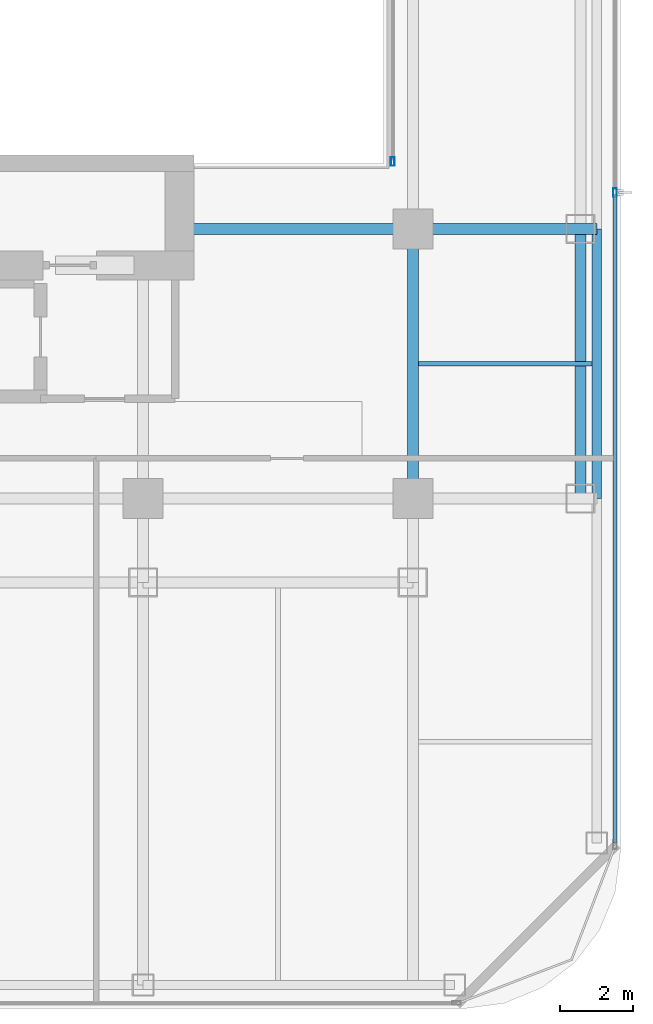
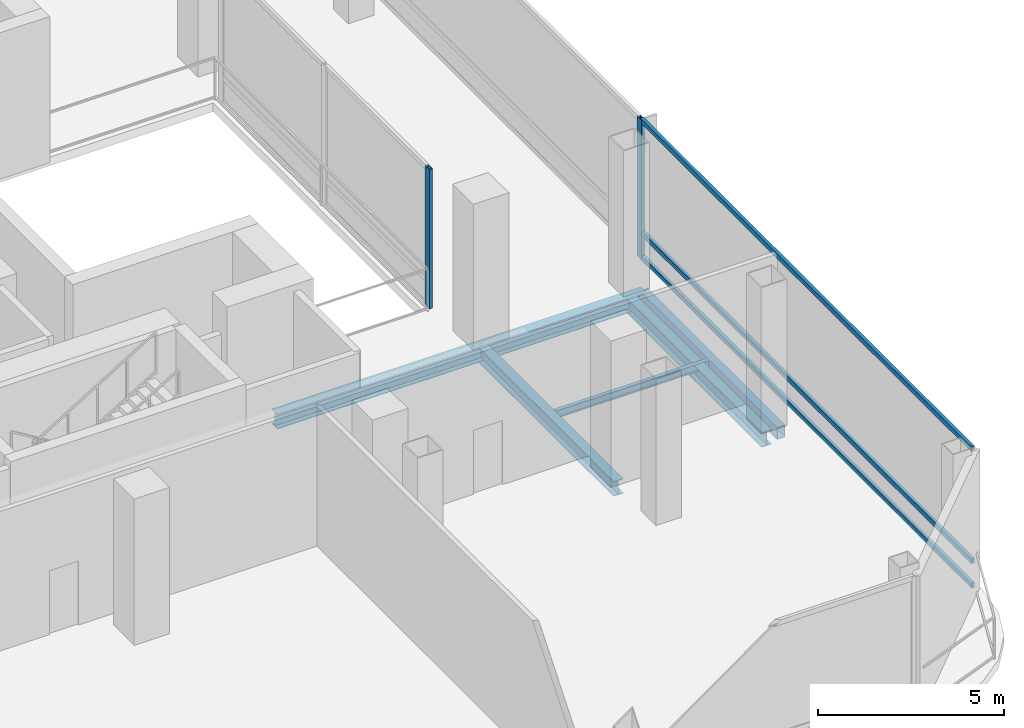
# One storey, part 9 of 22: 6 beams, 5 members, 2 elements without a shape of their own.
"""IFC4 building model written with IfcOpenShell, lengths in metres."""

from ifc_helpers import new_model, si_unit, direction, frame, origin, origin_2d, place, context, subcontext, project, spatial, hollow_rectangle, i_section, extrude, material, layer, layer_set, material_profile, profile_set, type_object, element, aggregate, save


model = new_model("IFC4")

# Units and contexts
model_context = context("Model", 3, precision=1e-05, world=origin(), true_north=direction((0.0, 1.0)))
body_context = subcontext(model_context, "Body", "Model", "MODEL_VIEW")
ifc_project = project(units=[si_unit("LENGTHUNIT", "METRE"), si_unit("AREAUNIT", "SQUARE_METRE"), si_unit("VOLUMEUNIT", "CUBIC_METRE"), si_unit("PLANEANGLEUNIT", "RADIAN"), si_unit("MASSUNIT", "GRAM", prefix="KILO")], contexts=[model_context])

# Site, building, storey
site_placement = place(None, origin())
site = spatial("IfcSite", under=ifc_project, at=site_placement, CompositionType="ELEMENT")
building_placement = place(site_placement, origin())
building = spatial("IfcBuilding", under=site, at=building_placement, Name="Khorvyn Point Tower", CompositionType="ELEMENT")
storey_placement = place(building_placement, frame((0.0, 0.0, 210.89990234375)))
storey = spatial("IfcBuildingStorey", under=building, at=storey_placement, Name="L52", CompositionType="ELEMENT", Elevation=210.89990234375)

# Curtain wall, member
ifc_material_1 = material(Name="Anodised aluminium 6063-T6 and laminated Low-E glass", Category="aluminium")
ifc_layer_1 = layer(ifc_material_1, 0.18994140625)
ifc_layer_set_1 = layer_set([ifc_layer_1], Name="Stick-Built Sky-Lobby Curtain Wall CW-SYS-05")
curtain_wall_type_1 = type_object("IfcCurtainWallType", Name="Stick-Built Sky-Lobby Curtain Wall CW-SYS-05", PredefinedType="NOTDEFINED", material=ifc_layer_set_1)
curtain_wall_1_placement = place(storey_placement, origin())
curtain_wall_1 = element("IfcCurtainWall", 1, at=curtain_wall_1_placement, inside=storey, type_object=curtain_wall_type_1, Name="Curtain Wall", PredefinedType="NOTDEFINED")
ifc_material_2 = material(Name="Anodised aluminium 6063-T6", Category="aluminium")
ifc_material_profile_1 = material_profile(ifc_material_2, hollow_rectangle(XDim=0.10009765625, YDim=0.239990234375, WallThickness=0.0048828125, at=origin_2d()))
ifc_profile_set_1 = profile_set([ifc_material_profile_1], Name="Anodised aluminium 6063-T6 ALU-MUL-100x240")
member_type_1 = type_object("IfcMemberType", Name="Anodised Aluminium 6063-T6 Mullion ALU-MUL-100x240", PredefinedType="MULLION", material=ifc_profile_set_1)
member_1_placement = place(storey_placement, frame((20.35009765625, -6.39990234375, 0.0), z_axis=(0.0, 0.0, 1.0), x_axis=(1.0, 0.0, 0.0)))
member_1 = element("IfcMember", 2, at=member_1_placement, type_object=member_type_1, Name="Transom", PredefinedType="MULLION", context=body_context, shape_type="SweptSolid", body=[
    extrude(hollow_rectangle(XDim=0.10009765625, YDim=0.239990234375, WallThickness=0.0048828125, at=origin_2d()), origin(), (0.0, 0.0, 1.0), 4.580078125),
])

ifc_layer_2 = layer(ifc_material_1, 0.18994140625)
ifc_layer_set_2 = layer_set([ifc_layer_2], Name="Stick-Built Crystal Atrium Curtain Wall CW-SYS-06")
curtain_wall_type_2 = type_object("IfcCurtainWallType", Name="Stick-Built Crystal Atrium Curtain Wall CW-SYS-06", PredefinedType="NOTDEFINED", material=ifc_layer_set_2)
curtain_wall_2_placement = place(storey_placement, origin())
curtain_wall_2 = element("IfcCurtainWall", 3, at=curtain_wall_2_placement, inside=storey, type_object=curtain_wall_type_2, Name="Curtain Wall", PredefinedType="NOTDEFINED")
member_2_placement = place(storey_placement, frame((14.25, -5.550048828125, 0.0), z_axis=(0.0, 0.0, 1.0), x_axis=(-1.0, 0.0, 0.0)))
member_2 = element("IfcMember", 4, at=member_2_placement, type_object=member_type_1, Name="Transom", PredefinedType="MULLION", context=body_context, shape_type="SweptSolid", body=[
    extrude(hollow_rectangle(XDim=0.10009765625, YDim=0.239990234375, WallThickness=0.0048828125, at=origin_2d()), origin(), (0.0, 0.0, 1.0), 4.580078125),
])
aggregate(curtain_wall_2, [member_2])

# Member
ifc_material_profile_2 = material_profile(ifc_material_2, hollow_rectangle(XDim=0.10009765625, YDim=0.159912109375, WallThickness=0.00439453125, at=origin_2d()))
ifc_profile_set_2 = profile_set([ifc_material_profile_2], Name="Anodised aluminium 6063-T6 ALU-TRN-100x160")
member_type_2 = type_object("IfcMemberType", Name="Anodised Aluminium 6063-T6 Transom ALU-TRN-100x160", PredefinedType="USERDEFINED", material=ifc_profile_set_2)
member_3_placement = place(storey_placement, frame((20.35009765625, -6.449951171875, 0.050048828125), z_axis=(0.0, -1.0, 0.0), x_axis=(1.0, 0.0, 0.0)))
member_3 = element("IfcMember", 5, at=member_3_placement, type_object=member_type_2, Name="Transom", ObjectType="TRANSOM", PredefinedType="USERDEFINED", context=body_context, shape_type="SweptSolid", body=[
    extrude(hollow_rectangle(XDim=0.10009765625, YDim=0.159912109375, WallThickness=0.00439453125, at=origin_2d()), origin(), (0.0, 0.0, 1.0), 17.800048828125),
])

member_4_placement = place(storey_placement, frame((20.35009765625, -6.449951171875, 0.85009765625), z_axis=(0.0, -1.0, 0.0), x_axis=(1.0, 0.0, 0.0)))
member_4 = element("IfcMember", 6, at=member_4_placement, type_object=member_type_2, Name="Transom", ObjectType="TRANSOM", PredefinedType="USERDEFINED", context=body_context, shape_type="SweptSolid", body=[
    extrude(hollow_rectangle(XDim=0.10009765625, YDim=0.159912109375, WallThickness=0.00439453125, at=origin_2d()), origin(), (0.0, 0.0, 1.0), 17.800048828125),
])

member_5_placement = place(storey_placement, frame((20.35009765625, -6.449951171875, 4.530029296875), z_axis=(0.0, -1.0, 0.0), x_axis=(1.0, 0.0, 0.0)))
member_5 = element("IfcMember", 7, at=member_5_placement, type_object=member_type_2, Name="Transom", ObjectType="TRANSOM", PredefinedType="USERDEFINED", context=body_context, shape_type="SweptSolid", body=[
    extrude(hollow_rectangle(XDim=0.10009765625, YDim=0.159912109375, WallThickness=0.00439453125, at=origin_2d()), origin(), (0.0, 0.0, 1.0), 17.800048828125),
])

aggregate(curtain_wall_1, [member_1, member_3, member_4, member_5])

# Beams
ifc_material_3 = material(Name="Steel S355", Category="steel")
ifc_material_profile_3 = material_profile(ifc_material_3, i_section(OverallWidth=0.125, OverallDepth=0.25, WebThickness=0.006103515625, FlangeThickness=0.009033203125, at=origin_2d()))
ifc_profile_set_3 = profile_set([ifc_material_profile_3], Name="Steel S355 H250x125x6x9")
beam_type_1 = type_object("IfcBeamType", Name="Steel S355 Joist H250x125x6x9", PredefinedType="JOIST", material=ifc_profile_set_3)
beam_1_placement = place(storey_placement, frame((14.949951171875, -11.10009765625, -0.40478515625), z_axis=(1.0, 0.0, 0.0), x_axis=(0.0, 1.0, 0.0)))
element("IfcBeam", 8, at=beam_1_placement, inside=storey, type_object=beam_type_1, Name="Beam", PredefinedType="JOIST", context=body_context, shape_type="SweptSolid", body=[
    extrude(i_section(OverallWidth=0.125, OverallDepth=0.25, WebThickness=0.006103515625, FlangeThickness=0.009033203125, at=origin_2d()), origin(), (0.0, 0.0, 1.0), 4.775146484375),
])
ifc_material_profile_4 = material_profile(ifc_material_3, i_section(OverallWidth=0.300048828125, OverallDepth=0.488037109375, WebThickness=0.010986328125, FlangeThickness=0.01806640625, at=origin_2d()))
ifc_profile_set_4 = profile_set([ifc_material_profile_4], Name="Steel S355 H488x300x11x18")
beam_type_2 = type_object("IfcBeamType", Name="Steel S355 Spandrel H488x300x11x18", PredefinedType="SPANDREL", material=ifc_profile_set_4)
beam_2_placement = place(storey_placement, frame((8.39990234375, -7.39990234375, -0.52392578125), z_axis=(1.0, 0.0, 0.0), x_axis=(0.0, 1.0, 0.0)))
element("IfcBeam", 9, at=beam_2_placement, inside=storey, type_object=beam_type_2, Name="Beam", PredefinedType="SPANDREL", context=body_context, shape_type="SweptSolid", body=[
    extrude(i_section(OverallWidth=0.300048828125, OverallDepth=0.488037109375, WebThickness=0.010986328125, FlangeThickness=0.01806640625, at=origin_2d()), origin(), (0.0, 0.0, 1.0), 6.400146484375),
])
beam_3_placement = place(storey_placement, frame((14.800048828125, -7.39990234375, -0.52392578125), z_axis=(1.0, 0.0, 0.0), x_axis=(0.0, 1.0, 0.0)))
element("IfcBeam", 10, at=beam_3_placement, inside=storey, type_object=beam_type_2, Name="Beam", PredefinedType="SPANDREL", context=body_context, shape_type="SweptSolid", body=[
    extrude(i_section(OverallWidth=0.300048828125, OverallDepth=0.488037109375, WebThickness=0.010986328125, FlangeThickness=0.01806640625, at=origin_2d()), origin(), (0.0, 0.0, 1.0), 5.050048828125),
])
for number, where, z_axis, x_axis, name in (
    (11, (14.800048828125, -14.800048828125, -0.52392578125), (0.0, 1.0, 0.0), (-1.0, 0.0, 0.0), "Beam"),
    (12, (19.39990234375, -14.800048828125, -0.52392578125), (0.0, 1.0, 0.0), (-1.0, 0.0, 0.0), "Beam"),
):
    element("IfcBeam", number, at=place(storey_placement, frame(where, z_axis=z_axis, x_axis=x_axis)), inside=storey, type_object=beam_type_2, Name=name, PredefinedType="SPANDREL", context=body_context, shape_type="SweptSolid", body=[
        extrude(i_section(OverallWidth=0.300048828125, OverallDepth=0.488037109375, WebThickness=0.010986328125, FlangeThickness=0.01806640625, at=origin_2d()), origin(), (0.0, 0.0, 1.0), 7.400146484375),
    ])
ifc_material_profile_5 = material_profile(ifc_material_3, hollow_rectangle(XDim=0.25, YDim=0.39990234375, WallThickness=0.01611328125, at=origin_2d()))
ifc_profile_set_5 = profile_set([ifc_material_profile_5], Name="Steel S355 RHS400x250x16")
beam_type_3 = type_object("IfcBeamType", Name="Steel S355 Spandrel RHS400x250x16", PredefinedType="SPANDREL", material=ifc_profile_set_5)
beam_4_placement = place(storey_placement, frame((19.85009765625, -14.800048828125, -0.47998046875), z_axis=(0.0, 1.0, 0.0), x_axis=(-1.0, 0.0, 0.0)))
element("IfcBeam", 13, at=beam_4_placement, inside=storey, type_object=beam_type_3, Name="Beam", PredefinedType="SPANDREL", context=body_context, shape_type="SweptSolid", body=[
    extrude(hollow_rectangle(XDim=0.25, YDim=0.39990234375, WallThickness=0.01611328125, at=origin_2d()), origin(), (0.0, 0.0, 1.0), 7.400146484375),
])

save(model, "model.ifc")
